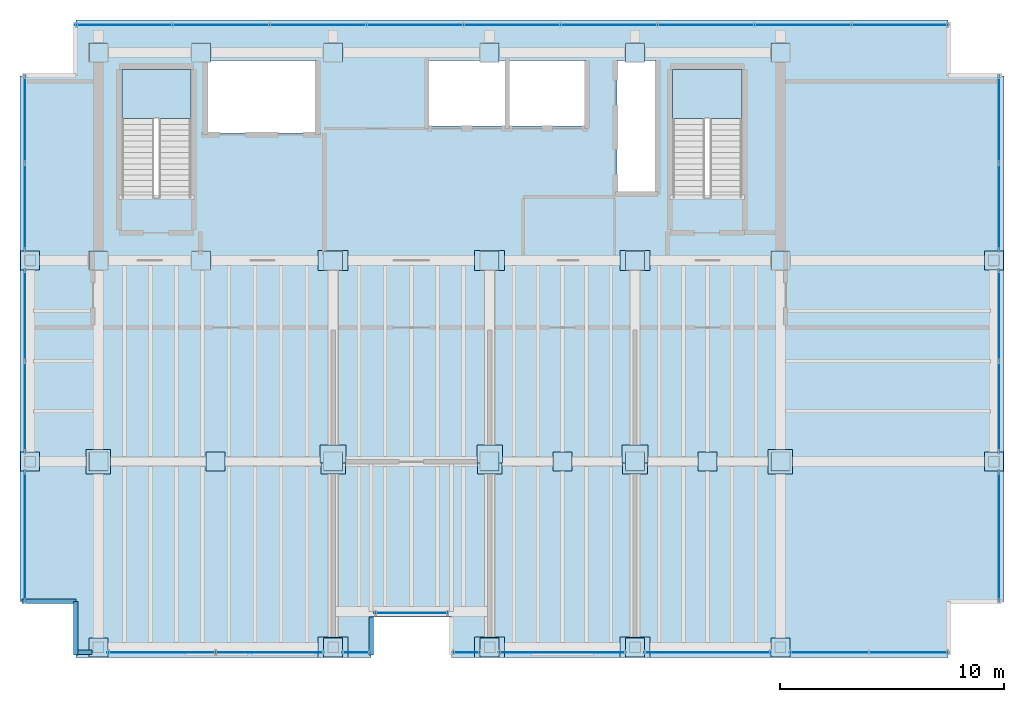
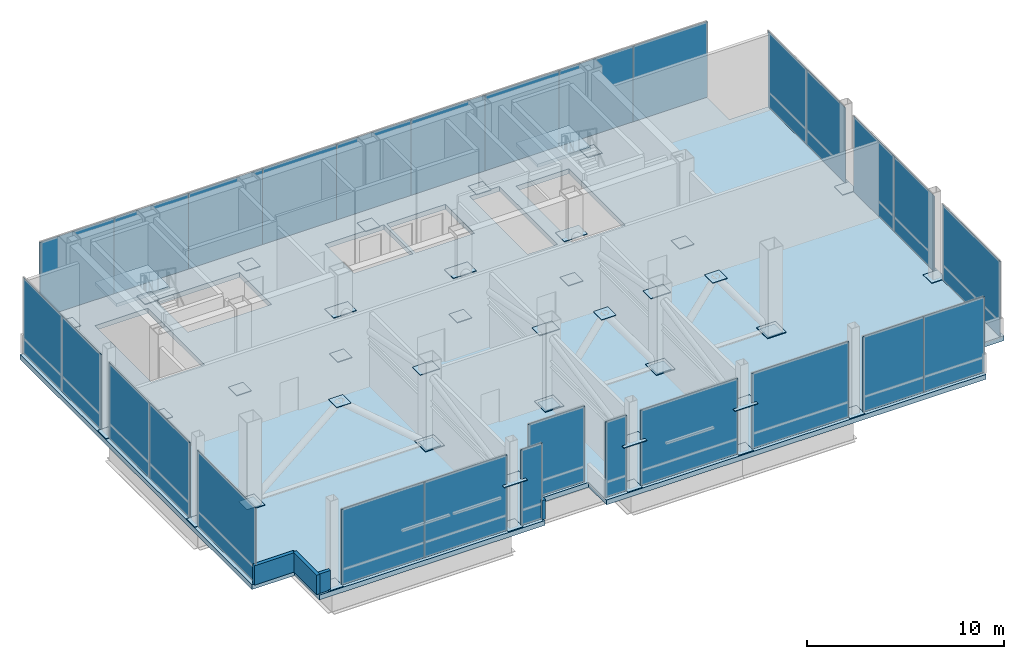
# One storey, part 15 of 18: 71 plates, 4 walls, 3 slabs, 6 openings, 16 elements without a shape of their own.
"""IFC4 building model written with IfcOpenShell, lengths in metres."""

from ifc_helpers import new_model, si_unit, direction, frame, frame_2d, origin, origin_2d, place, context, subcontext, project, spatial, polyline, rectangle, outline, extrude, material, layer, layer_set, type_object, element, aggregate, save


model = new_model("IFC4")

# Units and contexts
model_context = context("Model", 3, precision=1e-05, world=origin(), true_north=direction((0.0, 1.0)))
body_context = subcontext(model_context, "Body", "Model", "MODEL_VIEW")
ifc_project = project(units=[si_unit("LENGTHUNIT", "METRE"), si_unit("AREAUNIT", "SQUARE_METRE"), si_unit("VOLUMEUNIT", "CUBIC_METRE"), si_unit("PLANEANGLEUNIT", "RADIAN"), si_unit("MASSUNIT", "GRAM", prefix="KILO")], contexts=[model_context])

# Site, building, storey
site_placement = place(None, origin())
site = spatial("IfcSite", under=ifc_project, at=site_placement, CompositionType="ELEMENT")
building_placement = place(site_placement, origin())
building = spatial("IfcBuilding", under=site, at=building_placement, Name="Noeulbin Bourse Tower", CompositionType="ELEMENT")
storey_placement = place(building_placement, frame((0.0, 0.0, 200.699951171875)))
storey = spatial("IfcBuildingStorey", under=building, at=storey_placement, Name="L50", CompositionType="ELEMENT", Elevation=200.699951171875)

# Curtain wall, plate
ifc_material_1 = material(Name="Translucent Ceramic-Fritted Glass", Category="glass")
curtain_wall_type = type_object("IfcCurtainWallType", Name="CW-SYS-5", PredefinedType="NOTDEFINED", material=ifc_material_1)
curtain_wall_1_placement = place(storey_placement, origin())
curtain_wall_1 = element("IfcCurtainWall", 1, at=curtain_wall_1_placement, inside=storey, type_object=curtain_wall_type, Name="Unitised Curtain Wall CW-L50-SREC", PredefinedType="NOTDEFINED")
ifc_layer_1 = layer(ifc_material_1, 0.035888671875)
ifc_layer_set_1 = layer_set([ifc_layer_1], Name="Translucent Ceramic-Fritted Glass")
plate_type_1 = type_object("IfcPlateType", Name="CW-SYS-5-PNL", PredefinedType="CURTAIN_PANEL", material=ifc_layer_set_1)
plate_1_placement = place(storey_placement, frame((27.5, 13.22998046875, 0.0), z_axis=(0.0, 0.0, 1.0), x_axis=(1.0, 0.0, 0.0)))
plate_1 = element("IfcPlate", 2, at=plate_1_placement, type_object=plate_type_1, Name="Glazed Curtain Panel CW-L50-SREC-P00", PredefinedType="CURTAIN_PANEL", context=body_context, shape_type="SweptSolid", body=[
    extrude(rectangle(XDim=3.300048828125, YDim=0.035888671875, at=origin_2d()), origin(), (0.0, 0.0, 1.0), 4.679931640625),
])
aggregate(curtain_wall_1, [plate_1])

# Curtain wall, plates
curtain_wall_2_placement = place(storey_placement, origin())
curtain_wall_2 = element("IfcCurtainWall", 3, at=curtain_wall_2_placement, inside=storey, type_object=curtain_wall_type, Name="Unitised Curtain Wall CW-L50-S1-S1", PredefinedType="NOTDEFINED")
plate_2_placement = place(storey_placement, frame((16.330078125, 11.469970703125, 0.0), z_axis=(0.0, 0.0, 1.0), x_axis=(1.0, 0.0, 0.0)))
plate_2 = element("IfcPlate", 4, at=plate_2_placement, type_object=plate_type_1, Name="Glazed Curtain Panel CW-L50-S1-S1-P00", PredefinedType="CURTAIN_PANEL", context=body_context, shape_type="SweptSolid", body=[
    extrude(rectangle(XDim=4.840087890625, YDim=0.035888671875, at=origin_2d()), origin(), (0.0, 0.0, 1.0), 4.679931640625),
])
plate_3_placement = place(storey_placement, frame((21.169921875, 11.469970703125, 0.0), z_axis=(0.0, 0.0, 1.0), x_axis=(1.0, 0.0, 0.0)))
plate_3 = element("IfcPlate", 5, at=plate_3_placement, type_object=plate_type_1, Name="Glazed Curtain Panel CW-L50-S1-S1-P01", PredefinedType="CURTAIN_PANEL", context=body_context, shape_type="SweptSolid", body=[
    extrude(rectangle(XDim=4.840087890625, YDim=0.035888671875, at=origin_2d()), origin(), (0.0, 0.0, 1.0), 4.679931640625),
])
aggregate(curtain_wall_2, [plate_2, plate_3])

# Curtain wall, plate
curtain_wall_3_placement = place(storey_placement, origin())
curtain_wall_3 = element("IfcCurtainWall", 6, at=curtain_wall_3_placement, inside=storey, type_object=curtain_wall_type, Name="Unitised Curtain Wall CW-L50-S1-S2", PredefinedType="NOTDEFINED")
plate_4_placement = place(storey_placement, frame((25.030029296875, 11.469970703125, 0.0), z_axis=(0.0, 0.0, 1.0), x_axis=(1.0, 0.0, 0.0)))
plate_4 = element("IfcPlate", 7, at=plate_4_placement, type_object=plate_type_1, Name="Glazed Curtain Panel CW-L50-S1-S2-P00", PredefinedType="CURTAIN_PANEL", context=body_context, shape_type="SweptSolid", body=[
    extrude(rectangle(XDim=1.239990234375, YDim=0.035888671875, at=origin_2d()), origin(), (0.0, 0.0, 1.0), 4.679931640625),
])
aggregate(curtain_wall_3, [plate_4])

curtain_wall_4_placement = place(storey_placement, origin())
curtain_wall_4 = element("IfcCurtainWall", 8, at=curtain_wall_4_placement, inside=storey, type_object=curtain_wall_type, Name="Unitised Curtain Wall CW-L50-S2-S1", PredefinedType="NOTDEFINED")
plate_5_placement = place(storey_placement, frame((29.969970703125, 11.469970703125, 0.0), z_axis=(0.0, 0.0, 1.0), x_axis=(1.0, 0.0, 0.0)))
plate_5 = element("IfcPlate", 9, at=plate_5_placement, type_object=plate_type_1, Name="Glazed Curtain Panel CW-L50-S2-S1-P00", PredefinedType="CURTAIN_PANEL", context=body_context, shape_type="SweptSolid", body=[
    extrude(rectangle(XDim=1.239990234375, YDim=0.035888671875, at=origin_2d()), origin(), (0.0, 0.0, 1.0), 4.679931640625),
])
aggregate(curtain_wall_4, [plate_5])

curtain_wall_5_placement = place(storey_placement, origin())
curtain_wall_5 = element("IfcCurtainWall", 10, at=curtain_wall_5_placement, inside=storey, type_object=curtain_wall_type, Name="Unitised Curtain Wall CW-L50-S2-S2", PredefinedType="NOTDEFINED")
plate_6_placement = place(storey_placement, frame((34.25, 11.469970703125, 0.0), z_axis=(0.0, 0.0, 1.0), x_axis=(1.0, 0.0, 0.0)))
plate_6 = element("IfcPlate", 11, at=plate_6_placement, type_object=plate_type_1, Name="Glazed Curtain Panel CW-L50-S2-S2-P00", PredefinedType="CURTAIN_PANEL", context=body_context, shape_type="SweptSolid", body=[
    extrude(rectangle(XDim=5.679931640625, YDim=0.035888671875, at=origin_2d()), origin(), (0.0, 0.0, 1.0), 4.679931640625),
])
aggregate(curtain_wall_5, [plate_6])

curtain_wall_6_placement = place(storey_placement, origin())
curtain_wall_6 = element("IfcCurtainWall", 12, at=curtain_wall_6_placement, inside=storey, type_object=curtain_wall_type, Name="Unitised Curtain Wall CW-L50-S2-S3", PredefinedType="NOTDEFINED")
plate_7_placement = place(storey_placement, frame((40.75, 11.469970703125, 0.0), z_axis=(0.0, 0.0, 1.0), x_axis=(1.0, 0.0, 0.0)))
plate_7 = element("IfcPlate", 13, at=plate_7_placement, type_object=plate_type_1, Name="Glazed Curtain Panel CW-L50-S2-S3-P00", PredefinedType="CURTAIN_PANEL", context=body_context, shape_type="SweptSolid", body=[
    extrude(rectangle(XDim=5.679931640625, YDim=0.035888671875, at=origin_2d()), origin(), (0.0, 0.0, 1.0), 4.679931640625),
])
aggregate(curtain_wall_6, [plate_7])

# Curtain wall, plates
curtain_wall_7_placement = place(storey_placement, origin())
curtain_wall_7 = element("IfcCurtainWall", 14, at=curtain_wall_7_placement, inside=storey, type_object=curtain_wall_type, Name="Unitised Curtain Wall CW-L50-S2-S4", PredefinedType="NOTDEFINED")
plate_8_placement = place(storey_placement, frame((46.1875, 11.469970703125, 0.0), z_axis=(0.0, 0.0, 1.0), x_axis=(1.0, 0.0, 0.0)))
plate_8 = element("IfcPlate", 15, at=plate_8_placement, type_object=plate_type_1, Name="Glazed Curtain Panel CW-L50-S2-S4-P00", PredefinedType="CURTAIN_PANEL", context=body_context, shape_type="SweptSolid", body=[
    extrude(rectangle(XDim=3.554931640625, YDim=0.035888671875, at=origin_2d()), origin(), (0.0, 0.0, 1.0), 4.679931640625),
])
plate_9_placement = place(storey_placement, frame((49.742431640625, 11.469970703125, 0.0), z_axis=(0.0, 0.0, 1.0), x_axis=(1.0, 0.0, 0.0)))
plate_9 = element("IfcPlate", 16, at=plate_9_placement, type_object=plate_type_1, Name="Glazed Curtain Panel CW-L50-S2-S4-P01", PredefinedType="CURTAIN_PANEL", context=body_context, shape_type="SweptSolid", body=[
    extrude(rectangle(XDim=3.554931640625, YDim=0.035888671875, at=origin_2d()), origin(), (0.0, 0.0, 1.0), 4.679931640625),
])
aggregate(curtain_wall_7, [plate_8, plate_9])

curtain_wall_8_placement = place(storey_placement, origin())
curtain_wall_8 = element("IfcCurtainWall", 17, at=curtain_wall_8_placement, inside=storey, type_object=curtain_wall_type, Name="Unitised Curtain Wall CW-L50-N", PredefinedType="NOTDEFINED")
plate_10_placement = place(storey_placement, frame((14.64892578125, 39.530029296875, 0.0), z_axis=(0.0, 0.0, 1.0), x_axis=(1.0, 0.0, 0.0)))
plate_10 = element("IfcPlate", 18, at=plate_10_placement, type_object=plate_type_1, Name="Glazed Curtain Panel CW-L50-N-P00", PredefinedType="CURTAIN_PANEL", context=body_context, shape_type="SweptSolid", body=[
    extrude(rectangle(XDim=4.337890625, YDim=0.035888671875, at=origin_2d()), origin(), (0.0, 0.0, 1.0), 4.679931640625),
])
plate_11_placement = place(storey_placement, frame((18.98681640625, 39.530029296875, 0.0), z_axis=(0.0, 0.0, 1.0), x_axis=(1.0, 0.0, 0.0)))
plate_11 = element("IfcPlate", 19, at=plate_11_placement, type_object=plate_type_1, Name="Glazed Curtain Panel CW-L50-N-P01", PredefinedType="CURTAIN_PANEL", context=body_context, shape_type="SweptSolid", body=[
    extrude(rectangle(XDim=4.337890625, YDim=0.035888671875, at=origin_2d()), origin(), (0.0, 0.0, 1.0), 4.679931640625),
])
plate_12_placement = place(storey_placement, frame((23.324462890625, 39.530029296875, 0.0), z_axis=(0.0, 0.0, 1.0), x_axis=(1.0, 0.0, 0.0)))
plate_12 = element("IfcPlate", 20, at=plate_12_placement, type_object=plate_type_1, Name="Glazed Curtain Panel CW-L50-N-P02", PredefinedType="CURTAIN_PANEL", context=body_context, shape_type="SweptSolid", body=[
    extrude(rectangle(XDim=4.337890625, YDim=0.035888671875, at=origin_2d()), origin(), (0.0, 0.0, 1.0), 4.679931640625),
])
plate_13_placement = place(storey_placement, frame((27.662109375, 39.530029296875, 0.0), z_axis=(0.0, 0.0, 1.0), x_axis=(1.0, 0.0, 0.0)))
plate_13 = element("IfcPlate", 21, at=plate_13_placement, type_object=plate_type_1, Name="Glazed Curtain Panel CW-L50-N-P03", PredefinedType="CURTAIN_PANEL", context=body_context, shape_type="SweptSolid", body=[
    extrude(rectangle(XDim=4.337890625, YDim=0.035888671875, at=origin_2d()), origin(), (0.0, 0.0, 1.0), 4.679931640625),
])
plate_14_placement = place(storey_placement, frame((32.0, 39.530029296875, 0.0), z_axis=(0.0, 0.0, 1.0), x_axis=(1.0, 0.0, 0.0)))
plate_14 = element("IfcPlate", 22, at=plate_14_placement, type_object=plate_type_1, Name="Glazed Curtain Panel CW-L50-N-P04", PredefinedType="CURTAIN_PANEL", context=body_context, shape_type="SweptSolid", body=[
    extrude(rectangle(XDim=4.337890625, YDim=0.035888671875, at=origin_2d()), origin(), (0.0, 0.0, 1.0), 4.679931640625),
])
plate_15_placement = place(storey_placement, frame((36.337890625, 39.530029296875, 0.0), z_axis=(0.0, 0.0, 1.0), x_axis=(1.0, 0.0, 0.0)))
plate_15 = element("IfcPlate", 23, at=plate_15_placement, type_object=plate_type_1, Name="Glazed Curtain Panel CW-L50-N-P05", PredefinedType="CURTAIN_PANEL", context=body_context, shape_type="SweptSolid", body=[
    extrude(rectangle(XDim=4.337890625, YDim=0.035888671875, at=origin_2d()), origin(), (0.0, 0.0, 1.0), 4.679931640625),
])
plate_16_placement = place(storey_placement, frame((40.675537109375, 39.530029296875, 0.0), z_axis=(0.0, 0.0, 1.0), x_axis=(1.0, 0.0, 0.0)))
plate_16 = element("IfcPlate", 24, at=plate_16_placement, type_object=plate_type_1, Name="Glazed Curtain Panel CW-L50-N-P06", PredefinedType="CURTAIN_PANEL", context=body_context, shape_type="SweptSolid", body=[
    extrude(rectangle(XDim=4.337890625, YDim=0.035888671875, at=origin_2d()), origin(), (0.0, 0.0, 1.0), 4.679931640625),
])
plate_17_placement = place(storey_placement, frame((45.01318359375, 39.530029296875, 0.0), z_axis=(0.0, 0.0, 1.0), x_axis=(1.0, 0.0, 0.0)))
plate_17 = element("IfcPlate", 25, at=plate_17_placement, type_object=plate_type_1, Name="Glazed Curtain Panel CW-L50-N-P07", PredefinedType="CURTAIN_PANEL", context=body_context, shape_type="SweptSolid", body=[
    extrude(rectangle(XDim=4.337890625, YDim=0.035888671875, at=origin_2d()), origin(), (0.0, 0.0, 1.0), 4.679931640625),
])
plate_18_placement = place(storey_placement, frame((49.35107421875, 39.530029296875, 0.0), z_axis=(0.0, 0.0, 1.0), x_axis=(1.0, 0.0, 0.0)))
plate_18 = element("IfcPlate", 26, at=plate_18_placement, type_object=plate_type_1, Name="Glazed Curtain Panel CW-L50-N-P08", PredefinedType="CURTAIN_PANEL", context=body_context, shape_type="SweptSolid", body=[
    extrude(rectangle(XDim=4.337890625, YDim=0.035888671875, at=origin_2d()), origin(), (0.0, 0.0, 1.0), 4.679931640625),
])
aggregate(curtain_wall_8, [plate_10, plate_11, plate_12, plate_13, plate_14, plate_15, plate_16, plate_17, plate_18])

# Curtain wall, plate
curtain_wall_9_placement = place(storey_placement, origin())
curtain_wall_9 = element("IfcCurtainWall", 27, at=curtain_wall_9_placement, inside=storey, type_object=curtain_wall_type, Name="Unitised Curtain Wall CW-L50-W-S1", PredefinedType="NOTDEFINED")
plate_19_placement = place(storey_placement, frame((10.219970703125, 16.659912109375, 0.0), z_axis=(0.0, 0.0, 1.0), x_axis=(0.0, 1.0, 0.0)))
plate_19 = element("IfcPlate", 28, at=plate_19_placement, type_object=plate_type_1, Name="Glazed Curtain Panel CW-L50-W-S1-P00", PredefinedType="CURTAIN_PANEL", context=body_context, shape_type="SweptSolid", body=[
    extrude(rectangle(XDim=5.860107421875, YDim=0.035888671875, at=origin_2d()), origin(), (0.0, 0.0, 1.0), 4.679931640625),
])
aggregate(curtain_wall_9, [plate_19])

# Curtain wall, plates
curtain_wall_10_placement = place(storey_placement, origin())
curtain_wall_10 = element("IfcCurtainWall", 29, at=curtain_wall_10_placement, inside=storey, type_object=curtain_wall_type, Name="Unitised Curtain Wall CW-L50-W-S2", PredefinedType="NOTDEFINED")
plate_20_placement = place(storey_placement, frame((10.219970703125, 22.455078125, 0.0), z_axis=(0.0, 0.0, 1.0), x_axis=(0.0, 1.0, 0.0)))
plate_20 = element("IfcPlate", 30, at=plate_20_placement, type_object=plate_type_1, Name="Glazed Curtain Panel CW-L50-W-S2-P00", PredefinedType="CURTAIN_PANEL", context=body_context, shape_type="SweptSolid", body=[
    extrude(rectangle(XDim=4.090087890625, YDim=0.035888671875, at=origin_2d()), origin(), (0.0, 0.0, 1.0), 4.679931640625),
])
plate_21_placement = place(storey_placement, frame((10.219970703125, 26.544921875, 0.0), z_axis=(0.0, 0.0, 1.0), x_axis=(0.0, 1.0, 0.0)))
plate_21 = element("IfcPlate", 31, at=plate_21_placement, type_object=plate_type_1, Name="Glazed Curtain Panel CW-L50-W-S2-P01", PredefinedType="CURTAIN_PANEL", context=body_context, shape_type="SweptSolid", body=[
    extrude(rectangle(XDim=4.090087890625, YDim=0.035888671875, at=origin_2d()), origin(), (0.0, 0.0, 1.0), 4.679931640625),
])
aggregate(curtain_wall_10, [plate_20, plate_21])

curtain_wall_11_placement = place(storey_placement, origin())
curtain_wall_11 = element("IfcCurtainWall", 32, at=curtain_wall_11_placement, inside=storey, type_object=curtain_wall_type, Name="Unitised Curtain Wall CW-L50-W-S3", PredefinedType="NOTDEFINED")
plate_22_placement = place(storey_placement, frame((10.219970703125, 31.375, 0.0), z_axis=(0.0, 0.0, 1.0), x_axis=(0.0, 1.0, 0.0)))
plate_22 = element("IfcPlate", 33, at=plate_22_placement, type_object=plate_type_1, Name="Glazed Curtain Panel CW-L50-W-S3-P00", PredefinedType="CURTAIN_PANEL", context=body_context, shape_type="SweptSolid", body=[
    extrude(rectangle(XDim=3.929931640625, YDim=0.035888671875, at=origin_2d()), origin(), (0.0, 0.0, 1.0), 4.679931640625),
])
plate_23_placement = place(storey_placement, frame((10.219970703125, 35.304931640625, 0.0), z_axis=(0.0, 0.0, 1.0), x_axis=(0.0, 1.0, 0.0)))
plate_23 = element("IfcPlate", 34, at=plate_23_placement, type_object=plate_type_1, Name="Glazed Curtain Panel CW-L50-W-S3-P01", PredefinedType="CURTAIN_PANEL", context=body_context, shape_type="SweptSolid", body=[
    extrude(rectangle(XDim=3.929931640625, YDim=0.035888671875, at=origin_2d()), origin(), (0.0, 0.0, 1.0), 4.679931640625),
])
aggregate(curtain_wall_11, [plate_22, plate_23])

# Curtain wall, plate
curtain_wall_12_placement = place(storey_placement, origin())
curtain_wall_12 = element("IfcCurtainWall", 35, at=curtain_wall_12_placement, inside=storey, type_object=curtain_wall_type, Name="Unitised Curtain Wall CW-L50-E-S1", PredefinedType="NOTDEFINED")
plate_24_placement = place(storey_placement, frame((53.780029296875, 16.659912109375, 0.0), z_axis=(0.0, 0.0, 1.0), x_axis=(0.0, 1.0, 0.0)))
plate_24 = element("IfcPlate", 36, at=plate_24_placement, type_object=plate_type_1, Name="Glazed Curtain Panel CW-L50-E-S1-P00", PredefinedType="CURTAIN_PANEL", context=body_context, shape_type="SweptSolid", body=[
    extrude(rectangle(XDim=5.860107421875, YDim=0.035888671875, at=origin_2d()), origin(), (0.0, 0.0, 1.0), 4.679931640625),
])
aggregate(curtain_wall_12, [plate_24])

# Curtain wall, plates
curtain_wall_13_placement = place(storey_placement, origin())
curtain_wall_13 = element("IfcCurtainWall", 37, at=curtain_wall_13_placement, inside=storey, type_object=curtain_wall_type, Name="Unitised Curtain Wall CW-L50-E-S2", PredefinedType="NOTDEFINED")
plate_25_placement = place(storey_placement, frame((53.780029296875, 22.455078125, 0.0), z_axis=(0.0, 0.0, 1.0), x_axis=(0.0, 1.0, 0.0)))
plate_25 = element("IfcPlate", 38, at=plate_25_placement, type_object=plate_type_1, Name="Glazed Curtain Panel CW-L50-E-S2-P00", PredefinedType="CURTAIN_PANEL", context=body_context, shape_type="SweptSolid", body=[
    extrude(rectangle(XDim=4.090087890625, YDim=0.035888671875, at=origin_2d()), origin(), (0.0, 0.0, 1.0), 4.679931640625),
])
plate_26_placement = place(storey_placement, frame((53.780029296875, 26.544921875, 0.0), z_axis=(0.0, 0.0, 1.0), x_axis=(0.0, 1.0, 0.0)))
plate_26 = element("IfcPlate", 39, at=plate_26_placement, type_object=plate_type_1, Name="Glazed Curtain Panel CW-L50-E-S2-P01", PredefinedType="CURTAIN_PANEL", context=body_context, shape_type="SweptSolid", body=[
    extrude(rectangle(XDim=4.090087890625, YDim=0.035888671875, at=origin_2d()), origin(), (0.0, 0.0, 1.0), 4.679931640625),
])
aggregate(curtain_wall_13, [plate_25, plate_26])

curtain_wall_14_placement = place(storey_placement, origin())
curtain_wall_14 = element("IfcCurtainWall", 40, at=curtain_wall_14_placement, inside=storey, type_object=curtain_wall_type, Name="Unitised Curtain Wall CW-L50-E-S3", PredefinedType="NOTDEFINED")
plate_27_placement = place(storey_placement, frame((53.780029296875, 31.375, 0.0), z_axis=(0.0, 0.0, 1.0), x_axis=(0.0, 1.0, 0.0)))
plate_27 = element("IfcPlate", 41, at=plate_27_placement, type_object=plate_type_1, Name="Glazed Curtain Panel CW-L50-E-S3-P00", PredefinedType="CURTAIN_PANEL", context=body_context, shape_type="SweptSolid", body=[
    extrude(rectangle(XDim=3.929931640625, YDim=0.035888671875, at=origin_2d()), origin(), (0.0, 0.0, 1.0), 4.679931640625),
])
plate_28_placement = place(storey_placement, frame((53.780029296875, 35.304931640625, 0.0), z_axis=(0.0, 0.0, 1.0), x_axis=(0.0, 1.0, 0.0)))
plate_28 = element("IfcPlate", 42, at=plate_28_placement, type_object=plate_type_1, Name="Glazed Curtain Panel CW-L50-E-S3-P01", PredefinedType="CURTAIN_PANEL", context=body_context, shape_type="SweptSolid", body=[
    extrude(rectangle(XDim=3.929931640625, YDim=0.035888671875, at=origin_2d()), origin(), (0.0, 0.0, 1.0), 4.679931640625),
])
aggregate(curtain_wall_14, [plate_27, plate_28])

# Plates
ifc_material_2 = material(Name="Steel S355", Category="steel")
ifc_layer_2 = layer(ifc_material_2, 0.030029296875)
ifc_layer_set_2 = layer_set([ifc_layer_2], Name="Steel S355")
plate_type_2 = type_object("IfcPlateType", Name="PLT-BN1", PredefinedType="USERDEFINED", material=ifc_layer_set_2)
for number, where, z_axis, x_axis, name in (
    (43, (13.5, 29.0, 0.0048828125), (0.0, 0.0, 1.0), (1.0, 0.0, 0.0), "Mega-Column Splice Plate BN1-L50-01"),
    (44, (13.5, 38.300048828125, 0.0048828125), (0.0, 0.0, 1.0), (1.0, 0.0, 0.0), "Mega-Column Splice Plate BN1-L50-02"),
    (45, (18.10009765625, 29.0, 0.0048828125), (0.0, 0.0, 1.0), (1.0, 0.0, 0.0), "Mega-Column Splice Plate BN1-L50-03"),
    (46, (18.10009765625, 38.300048828125, 0.0048828125), (0.0, 0.0, 1.0), (1.0, 0.0, 0.0), "Mega-Column Splice Plate BN1-L50-04"),
    (47, (24.0, 29.0, 0.0048828125), (0.0, 0.0, 1.0), (1.0, 0.0, 0.0), "Mega-Column Splice Plate BN1-L50-05"),
    (48, (24.0, 38.300048828125, 0.0048828125), (0.0, 0.0, 1.0), (1.0, 0.0, 0.0), "Mega-Column Splice Plate BN1-L50-06"),
    (49, (31.0, 29.0, 0.0048828125), (0.0, 0.0, 1.0), (1.0, 0.0, 0.0), "Mega-Column Splice Plate BN1-L50-07"),
    (50, (31.0, 38.300048828125, 0.0048828125), (0.0, 0.0, 1.0), (1.0, 0.0, 0.0), "Mega-Column Splice Plate BN1-L50-08"),
    (51, (37.5, 29.0, 0.0048828125), (0.0, 0.0, 1.0), (1.0, 0.0, 0.0), "Mega-Column Splice Plate BN1-L50-09"),
    (52, (37.5, 38.300048828125, 0.0048828125), (0.0, 0.0, 1.0), (1.0, 0.0, 0.0), "Mega-Column Splice Plate BN1-L50-10"),
    (53, (44.0, 29.0, 0.0048828125), (0.0, 0.0, 1.0), (1.0, 0.0, 0.0), "Mega-Column Splice Plate BN1-L50-11"),
    (54, (44.0, 38.300048828125, 0.0048828125), (0.0, 0.0, 1.0), (1.0, 0.0, 0.0), "Mega-Column Splice Plate BN1-L50-12"),
    (55, (13.5, 20.0, 0.0048828125), (0.0, 0.0, 1.0), (1.0, 0.0, 0.0), "Mega-Column Splice Plate BN1-L50-13"),
    (56, (24.0, 20.0, 0.0048828125), (0.0, 0.0, 1.0), (1.0, 0.0, 0.0), "Mega-Column Splice Plate BN1-L50-14"),
    (57, (31.0, 20.0, 0.0048828125), (0.0, 0.0, 1.0), (1.0, 0.0, 0.0), "Mega-Column Splice Plate BN1-L50-15"),
    (58, (37.5, 20.0, 0.0048828125), (0.0, 0.0, 1.0), (1.0, 0.0, 0.0), "Mega-Column Splice Plate BN1-L50-16"),
    (59, (44.0, 20.0, 0.0048828125), (0.0, 0.0, 1.0), (1.0, 0.0, 0.0), "Mega-Column Splice Plate BN1-L50-17"),
    (60, (10.449951171875, 20.0, 0.0048828125), (0.0, 0.0, 1.0), (1.0, 0.0, 0.0), "Perimeter Column Splice Plate BN1-L50-01"),
    (61, (10.449951171875, 29.0, 0.0048828125), (0.0, 0.0, 1.0), (1.0, 0.0, 0.0), "Perimeter Column Splice Plate BN1-L50-02"),
    (62, (13.5, 11.699951171875, 0.0048828125), (0.0, 0.0, 1.0), (1.0, 0.0, 0.0), "Perimeter Column Splice Plate BN1-L50-03"),
    (63, (24.0, 11.699951171875, 0.0048828125), (0.0, 0.0, 1.0), (1.0, 0.0, 0.0), "Perimeter Column Splice Plate BN1-L50-04"),
    (64, (31.0, 11.699951171875, 0.0048828125), (0.0, 0.0, 1.0), (1.0, 0.0, 0.0), "Perimeter Column Splice Plate BN1-L50-05"),
    (65, (37.5, 11.699951171875, 0.0048828125), (0.0, 0.0, 1.0), (1.0, 0.0, 0.0), "Perimeter Column Splice Plate BN1-L50-06"),
    (66, (44.0, 11.699951171875, 0.0048828125), (0.0, 0.0, 1.0), (1.0, 0.0, 0.0), "Perimeter Column Splice Plate BN1-L50-07"),
    (67, (53.550048828125, 20.0, 0.0048828125), (0.0, 0.0, 1.0), (1.0, 0.0, 0.0), "Perimeter Column Splice Plate BN1-L50-08"),
    (68, (53.550048828125, 29.0, 0.0048828125), (0.0, 0.0, 1.0), (1.0, 0.0, 0.0), "Perimeter Column Splice Plate BN1-L50-09"),
    (69, (18.75, 20.0, 4.48486328125), (0.0, 0.0, 1.0), (1.0, 0.0, 0.0), "Belt Truss Apex Splice Plate BN1-L50-1"),
    (70, (34.25, 20.0, 4.48486328125), (0.0, 0.0, 1.0), (1.0, 0.0, 0.0), "Belt Truss Apex Splice Plate BN1-L50-2"),
    (71, (40.75, 20.0, 4.48486328125), (0.0, 0.0, 1.0), (1.0, 0.0, 0.0), "Belt Truss Apex Splice Plate BN1-L50-3"),
):
    element("IfcPlate", number, at=place(storey_placement, frame(where, z_axis=z_axis, x_axis=x_axis)), inside=storey, type_object=plate_type_2, Name=name, ObjectType="SPLICE PLATE", PredefinedType="USERDEFINED", context=body_context, shape_type="SweptSolid", body=[
        extrude(rectangle(XDim=0.85009765625, YDim=0.85009765625, at=origin_2d()), origin(), (0.0, 0.0, 1.0), 0.030029296875),
    ])
ifc_material_3 = material(Name="Steel S460", Category="steel")
ifc_layer_3 = layer(ifc_material_3, 0.035888671875)
ifc_layer_set_3 = layer_set([ifc_layer_3], Name="Steel S460")
plate_type_3 = type_object("IfcPlateType", Name="PLT-KN2", PredefinedType="USERDEFINED", material=ifc_layer_set_3)
for number, where, z_axis, x_axis, name in (
    (72, (13.5, 20.0, 0.0419921875), (0.0, 0.0, 1.0), (1.0, 0.0, 0.0), "Belt Truss West Gusset Plate KN2-L50-1A"),
    (73, (24.0, 20.0, 0.0419921875), (0.0, 0.0, 1.0), (1.0, 0.0, 0.0), "Belt Truss East Gusset Plate KN2-L50-1B"),
    (74, (31.0, 20.0, 0.0419921875), (0.0, 0.0, 1.0), (1.0, 0.0, 0.0), "Belt Truss West Gusset Plate KN2-L50-2A"),
    (75, (37.5, 20.0, 0.0419921875), (0.0, 0.0, 1.0), (1.0, 0.0, 0.0), "Belt Truss East Gusset Plate KN2-L50-2B"),
    (76, (44.0, 20.0, 0.0419921875), (0.0, 0.0, 1.0), (1.0, 0.0, 0.0), "Belt Truss East Gusset Plate KN2-L50-3B"),
):
    element("IfcPlate", number, at=place(storey_placement, frame(where, z_axis=z_axis, x_axis=x_axis)), inside=storey, type_object=plate_type_3, Name=name, ObjectType="GUSSET PLATE", PredefinedType="USERDEFINED", context=body_context, shape_type="SweptSolid", body=[
        extrude(rectangle(XDim=1.10009765625, YDim=1.10009765625, at=origin_2d()), origin(), (0.0, 0.0, 1.0), 0.035888671875),
    ])
ifc_layer_4 = layer(ifc_material_3, 0.0400390625)
ifc_layer_set_4 = layer_set([ifc_layer_4], Name="Steel S460")
plate_type_4 = type_object("IfcPlateType", Name="PLT-ON1", PredefinedType="USERDEFINED", material=ifc_layer_set_4)
for number, where, z_axis, x_axis, name in (
    (77, (24.0, 29.0, 2.830078125), (0.0, 0.0, 1.0), (1.0, 0.0, 0.0), "Outrigger North Gusset Plate ON1-L50-1A"),
    (78, (24.0, 11.699951171875, 2.830078125), (0.0, 0.0, 1.0), (1.0, 0.0, 0.0), "Outrigger South Gusset Plate ON1-L50-1B"),
    (79, (31.0, 29.0, 2.830078125), (0.0, 0.0, 1.0), (1.0, 0.0, 0.0), "Outrigger North Gusset Plate ON1-L50-2A"),
    (80, (31.0, 11.699951171875, 2.830078125), (0.0, 0.0, 1.0), (1.0, 0.0, 0.0), "Outrigger South Gusset Plate ON1-L50-2B"),
    (81, (37.5, 29.0, 2.830078125), (0.0, 0.0, 1.0), (1.0, 0.0, 0.0), "Outrigger North Gusset Plate ON1-L50-3A"),
    (82, (37.5, 11.699951171875, 2.830078125), (0.0, 0.0, 1.0), (1.0, 0.0, 0.0), "Outrigger South Gusset Plate ON1-L50-3B"),
):
    element("IfcPlate", number, at=place(storey_placement, frame(where, z_axis=z_axis, x_axis=x_axis)), inside=storey, type_object=plate_type_4, Name=name, ObjectType="GUSSET PLATE", PredefinedType="USERDEFINED", context=body_context, shape_type="SweptSolid", body=[
        extrude(rectangle(XDim=1.35009765625, YDim=0.89990234375, at=origin_2d()), origin(), (0.0, 0.0, 1.0), 0.0400390625),
    ])
ifc_layer_5 = layer(ifc_material_3, 0.035888671875)
ifc_layer_set_5 = layer_set([ifc_layer_5], Name="Steel S460")
plate_type_5 = type_object("IfcPlateType", Name="PLT-ON2", PredefinedType="USERDEFINED", material=ifc_layer_set_5)
for number, where, z_axis, x_axis, name in (
    (83, (24.0, 20.35009765625, 4.48193359375), (0.0, 0.0, 1.0), (1.0, 0.0, 0.0), "Outrigger Apex Gusset Plate ON2-L50-1"),
    (84, (31.0, 20.35009765625, 4.48193359375), (0.0, 0.0, 1.0), (1.0, 0.0, 0.0), "Outrigger Apex Gusset Plate ON2-L50-2"),
    (85, (37.5, 20.35009765625, 4.48193359375), (0.0, 0.0, 1.0), (1.0, 0.0, 0.0), "Outrigger Apex Gusset Plate ON2-L50-3"),
):
    element("IfcPlate", number, at=place(storey_placement, frame(where, z_axis=z_axis, x_axis=x_axis)), inside=storey, type_object=plate_type_5, Name=name, ObjectType="GUSSET PLATE", PredefinedType="USERDEFINED", context=body_context, shape_type="SweptSolid", body=[
        extrude(rectangle(XDim=1.14990234375, YDim=0.800048828125, at=origin_2d()), origin(), (0.0, 0.0, 1.0), 0.035888671875),
    ])

# Stair, slab
ifc_material_4 = material(Name="Concrete C40/50", Category="concrete")
stair_type = type_object("IfcStairType", Name="STR-CORE-1560", PredefinedType="HALF_TURN_STAIR", material=ifc_material_4)
stair_1_placement = place(storey_placement, origin())
stair_1 = element("IfcStair", 86, at=stair_1_placement, inside=storey, type_object=stair_type, Name="L50 ST-1", PredefinedType="HALF_TURN_STAIR")
ifc_layer_6 = layer(ifc_material_4, 0.199951171875)
ifc_layer_set_6 = layer_set([ifc_layer_6], Name="Concrete C40/50")
slab_type_1 = type_object("IfcSlabType", Name="SLB-LND-200", PredefinedType="LANDING", material=ifc_layer_set_6)
slab_1_placement = place(storey_placement, frame((0.0, 0.0, 2.5)))
slab_1 = element("IfcSlab", 87, at=slab_1_placement, type_object=slab_type_1, Name="ST-1 landing 1", PredefinedType="LANDING", context=body_context, shape_type="SweptSolid", body=[
    extrude(outline(polyline([(17.64990234375, 35.337890625), (17.64990234375, 37.5439453125), (14.550048828125, 37.5439453125), (14.550048828125, 35.337890625), (17.64990234375, 35.337890625)])), origin(), (0.0, 0.0, 1.0), 0.199951171875),
])
aggregate(stair_1, [slab_1])

stair_2_placement = place(storey_placement, origin())
stair_2 = element("IfcStair", 88, at=stair_2_placement, inside=storey, type_object=stair_type, Name="L50 ST-2", PredefinedType="HALF_TURN_STAIR")
slab_2_placement = place(storey_placement, frame((0.0, 0.0, 2.5)))
slab_2 = element("IfcSlab", 89, at=slab_2_placement, type_object=slab_type_1, Name="ST-2 landing 1", PredefinedType="LANDING", context=body_context, shape_type="SweptSolid", body=[
    extrude(outline(polyline([(42.280029296875, 35.337890625), (42.280029296875, 37.5439453125), (39.179931640625, 37.5439453125), (39.179931640625, 35.337890625), (42.280029296875, 35.337890625)])), origin(), (0.0, 0.0, 1.0), 0.199951171875),
])
aggregate(stair_2, [slab_2])

# Slab, openings
ifc_material_5 = material(Name="Concrete C50/60", Category="concrete")
ifc_layer_7 = layer(ifc_material_5, 0.300048828125)
ifc_layer_set_7 = layer_set([ifc_layer_7], Name="Concrete C50/60")
slab_type_2 = type_object("IfcSlabType", Name="SLB-OUT-300", PredefinedType="FLOOR", material=ifc_layer_set_7)
slab_3_placement = place(storey_placement, frame((0.0, 0.0, -0.300048828125)))
slab_3 = element("IfcSlab", 90, at=slab_3_placement, inside=storey, type_object=slab_type_2, Name="Tower Structural Floor Slab L50", PredefinedType="FLOOR", context=body_context, shape_type="SweptSolid", body=[
    extrude(outline(polyline([(12.5, 11.25), (25.699951171875, 11.25), (25.699951171875, 13.050048828125), (29.300048828125, 13.050048828125), (29.300048828125, 11.25), (51.5, 11.25), (51.5, 13.75), (54.0, 13.75), (54.0, 37.25), (51.5, 37.25), (51.5, 39.75), (12.5, 39.75), (12.5, 37.25), (10.0, 37.25), (10.0, 13.75), (12.5, 13.75), (12.5, 11.25)]), holes=[polyline([(17.64990234375, 31.81005859375), (17.64990234375, 37.5439453125), (14.550048828125, 37.5439453125), (14.550048828125, 31.81005859375), (17.64990234375, 31.81005859375)]), polyline([(42.280029296875, 31.81005859375), (42.280029296875, 37.5439453125), (39.179931640625, 37.5439453125), (39.179931640625, 31.81005859375), (42.280029296875, 31.81005859375)]), polyline([(18.35009765625, 34.699951171875), (23.25, 34.699951171875), (23.25, 37.949951171875), (18.35009765625, 37.949951171875), (18.35009765625, 34.699951171875)]), polyline([(36.699951171875, 32.050048828125), (38.449951171875, 32.050048828125), (38.449951171875, 37.949951171875), (36.699951171875, 37.949951171875), (36.699951171875, 32.050048828125)]), polyline([(28.25, 35.0), (31.699951171875, 35.0), (31.699951171875, 37.949951171875), (28.25, 37.949951171875), (28.25, 35.0)]), polyline([(31.85009765625, 35.0), (35.300048828125, 35.0), (35.300048828125, 37.949951171875), (31.85009765625, 37.949951171875), (31.85009765625, 35.0)])]), origin(), (0.0, 0.0, 1.0), 0.300048828125),
])
opening_1_placement = place(slab_3_placement, frame((0.0, 0.0, -0.010009765625)))
element("IfcOpeningElement", 91, at=opening_1_placement, cuts=slab_3, Name="Slab Shaft Opening SLB-L50-TWR-1", PredefinedType="OPENING", context=body_context, shape_type="SweptSolid", body=[
    extrude(outline(polyline([(17.64990234375, 31.81005859375), (17.64990234375, 37.5439453125), (14.550048828125, 37.5439453125), (14.550048828125, 31.81005859375), (17.64990234375, 31.81005859375)])), origin(), (0.0, 0.0, 1.0), 0.320068359375),
])
opening_2_placement = place(slab_3_placement, frame((0.0, 0.0, -0.010009765625)))
element("IfcOpeningElement", 92, at=opening_2_placement, cuts=slab_3, Name="Slab Shaft Opening SLB-L50-TWR-2", PredefinedType="OPENING", context=body_context, shape_type="SweptSolid", body=[
    extrude(outline(polyline([(42.280029296875, 31.81005859375), (42.280029296875, 37.5439453125), (39.179931640625, 37.5439453125), (39.179931640625, 31.81005859375), (42.280029296875, 31.81005859375)])), origin(), (0.0, 0.0, 1.0), 0.320068359375),
])
opening_3_placement = place(slab_3_placement, frame((0.0, 0.0, -0.010009765625)))
element("IfcOpeningElement", 93, at=opening_3_placement, cuts=slab_3, Name="Slab Shaft Opening SLB-L50-TWR-3", PredefinedType="OPENING", context=body_context, shape_type="SweptSolid", body=[
    extrude(outline(polyline([(18.35009765625, 34.699951171875), (23.25, 34.699951171875), (23.25, 37.949951171875), (18.35009765625, 37.949951171875), (18.35009765625, 34.699951171875)])), origin(), (0.0, 0.0, 1.0), 0.320068359375),
])
opening_4_placement = place(slab_3_placement, frame((0.0, 0.0, -0.010009765625)))
element("IfcOpeningElement", 94, at=opening_4_placement, cuts=slab_3, Name="Slab Shaft Opening SLB-L50-TWR-4", PredefinedType="OPENING", context=body_context, shape_type="SweptSolid", body=[
    extrude(outline(polyline([(36.699951171875, 32.050048828125), (38.449951171875, 32.050048828125), (38.449951171875, 37.949951171875), (36.699951171875, 37.949951171875), (36.699951171875, 32.050048828125)])), origin(), (0.0, 0.0, 1.0), 0.320068359375),
])
opening_5_placement = place(slab_3_placement, frame((0.0, 0.0, -0.010009765625)))
element("IfcOpeningElement", 95, at=opening_5_placement, cuts=slab_3, Name="Slab Shaft Opening SLB-L50-TWR-5", PredefinedType="OPENING", context=body_context, shape_type="SweptSolid", body=[
    extrude(outline(polyline([(28.25, 35.0), (31.699951171875, 35.0), (31.699951171875, 37.949951171875), (28.25, 37.949951171875), (28.25, 35.0)])), origin(), (0.0, 0.0, 1.0), 0.320068359375),
])
opening_6_placement = place(slab_3_placement, frame((0.0, 0.0, -0.010009765625)))
element("IfcOpeningElement", 96, at=opening_6_placement, cuts=slab_3, Name="Slab Shaft Opening SLB-L50-TWR-6", PredefinedType="OPENING", context=body_context, shape_type="SweptSolid", body=[
    extrude(outline(polyline([(31.85009765625, 35.0), (35.300048828125, 35.0), (35.300048828125, 37.949951171875), (31.85009765625, 37.949951171875), (31.85009765625, 35.0)])), origin(), (0.0, 0.0, 1.0), 0.320068359375),
])

# Walls
ifc_layer_8 = layer(ifc_material_4, 0.199951171875)
ifc_layer_set_8 = layer_set([ifc_layer_8], Name="Concrete C40/50")
wall_type = type_object("IfcWallType", Name="WAL-PAR-200", PredefinedType="PARAPET", material=ifc_layer_set_8)
wall_1_placement = place(storey_placement, frame((12.60009765625, 11.469970703125, 0.0), z_axis=(0.0, 0.0, 1.0), x_axis=(1.0, 0.0, 0.0)))
element("IfcWall", 97, at=wall_1_placement, inside=storey, type_object=wall_type, Name="Perimeter Pier Spandrel Parapet L50-S1", PredefinedType="PARAPET", context=body_context, shape_type="SweptSolid", body=[
    extrude(rectangle(XDim=0.6298828125, YDim=0.199951171875, at=frame_2d((0.31494140625, 0.0))), origin(), (0.0, 0.0, 1.0), 1.199951171875),
])
for number, where, z_axis, x_axis, name in (
    (98, (10.10009765625, 13.75, 0.0), (0.0, 0.0, 1.0), (1.0, 0.0, 0.0), "Corner Notch Parapet L50-SW1"),
    (99, (12.5, 13.75, 0.0), (0.0, 0.0, 1.0), (0.0, -1.0, 0.0), "Corner Notch Parapet L50-SW2"),
):
    element("IfcWall", number, at=place(storey_placement, frame(where, z_axis=z_axis, x_axis=x_axis)), inside=storey, type_object=wall_type, Name=name, PredefinedType="PARAPET", context=body_context, shape_type="SweptSolid", body=[
        extrude(rectangle(XDim=2.39990234375, YDim=0.199951171875, at=frame_2d((1.199951171875, 0.0))), origin(), (0.0, 0.0, 1.0), 1.199951171875),
    ])
wall_2_placement = place(storey_placement, frame((25.699951171875, 11.35009765625, 0.0), z_axis=(0.0, 0.0, 1.0), x_axis=(0.0, 1.0, 0.0)))
element("IfcWall", 100, at=wall_2_placement, inside=storey, type_object=wall_type, Name="Sky-Garden Recess Parapet L50-W", PredefinedType="PARAPET", context=body_context, shape_type="SweptSolid", body=[
    extrude(rectangle(XDim=1.699951171875, YDim=0.199951171875, at=frame_2d((0.85009765625, 0.0))), origin(), (0.0, 0.0, 1.0), 1.199951171875),
])

save(model, "model.ifc")
